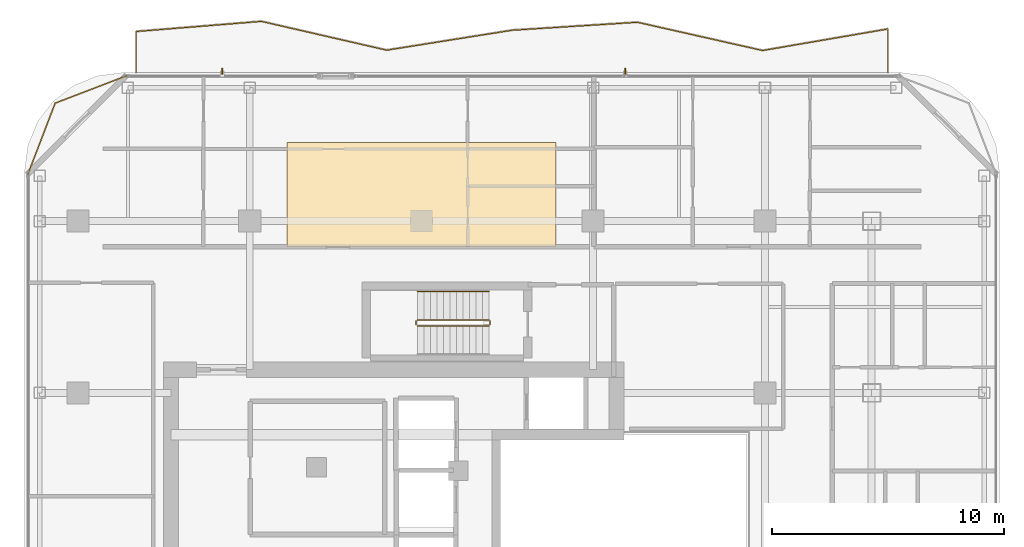
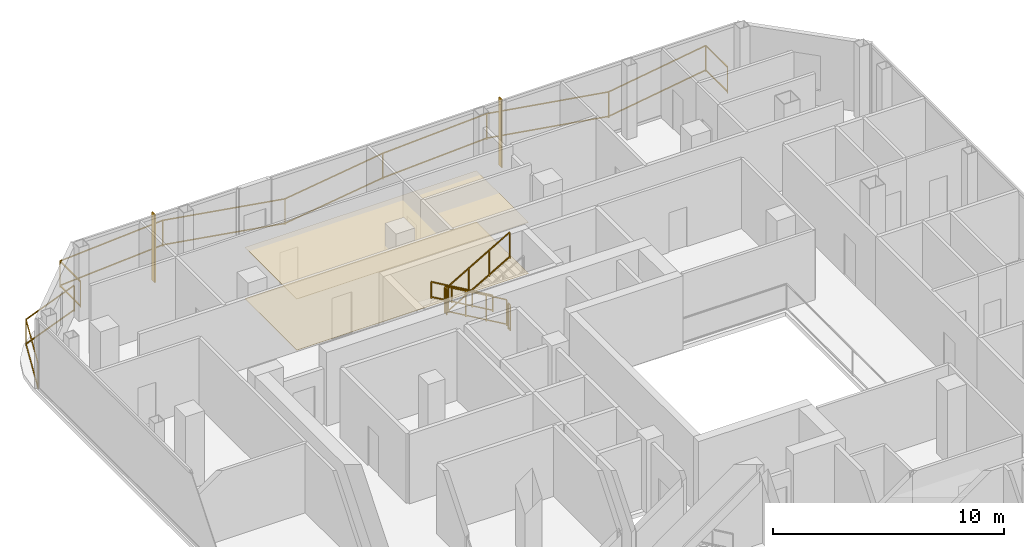
# One storey, part 25 of 26: 7 railings, 2 coverings, 2 shading devices.
"""IFC4 building model written with IfcOpenShell, lengths in metres."""

from ifc_helpers import new_model, si_unit, direction, frame, origin, origin_2d, place, context, subcontext, project, spatial, polyline, rectangle, outline, extrude, material, layer, layer_set, type_object, element, save


model = new_model("IFC4")

# Units and contexts
model_context = context("Model", 3, precision=1e-05, world=origin(), true_north=direction((0.0, 1.0)))
body_context = subcontext(model_context, "Body", "Model", "MODEL_VIEW")
ifc_project = project(units=[si_unit("LENGTHUNIT", "METRE"), si_unit("AREAUNIT", "SQUARE_METRE"), si_unit("VOLUMEUNIT", "CUBIC_METRE"), si_unit("PLANEANGLEUNIT", "RADIAN"), si_unit("MASSUNIT", "GRAM", prefix="KILO")], contexts=[model_context])

# Site, building, storey
site_placement = place(None, origin())
site = spatial("IfcSite", under=ifc_project, at=site_placement, CompositionType="ELEMENT")
building_placement = place(site_placement, origin())
building = spatial("IfcBuilding", under=site, at=building_placement, Name="Khorvyn Point Tower", CompositionType="ELEMENT")
storey_placement = place(building_placement, frame((0.0, 0.0, 262.5)))
storey = spatial("IfcBuildingStorey", under=building, at=storey_placement, Name="L64", CompositionType="ELEMENT", Elevation=262.5)

# Covering
ifc_material_1 = material(Name="Engineered tropical hardwood flooring", Category="wood")
ifc_layer_1 = layer(ifc_material_1, 0.01611328125)
ifc_layer_set_1 = layer_set([ifc_layer_1], Name="Engineered Teak Apartment Floor Finish 16")
covering_type_1 = type_object("IfcCoveringType", Name="Engineered Teak Apartment Floor Finish 16", PredefinedType="FLOORING", material=ifc_layer_set_1)
covering_1_placement = place(storey_placement, origin())
element("IfcCovering", 1, at=covering_1_placement, inside=storey, type_object=covering_type_1, Name="L64 North Apartment Teak Flooring", PredefinedType="FLOORING", context=body_context, shape_type="SweptSolid", body=[
    extrude(outline(polyline([(-5.800048828125, 13.68994140625), (5.800048828125, 13.68994140625), (5.800048828125, 18.199951171875), (-5.800048828125, 18.199951171875), (-5.800048828125, 13.68994140625)])), origin(), (0.0, 0.0, 1.0), 0.01611328125),
])

# Railings
ifc_material_2 = material(Name="Anodised aluminium 6063-T6 and laminated safety glass", Category="aluminium")
railing_type_1 = type_object("IfcRailingType", Name="Laminated Glass and Aluminium Balcony Guardrail 1400", PredefinedType="BALUSTRADE", material=ifc_material_2)
railing_1_placement = place(storey_placement, frame((-12.6865234375, 21.074462890625, 0.0)))
element("IfcRailing", 2, at=railing_1_placement, inside=storey, type_object=railing_type_1, Name="L64 Rounded Corner Edge Guardrail NW", PredefinedType="BALUSTRADE", context=body_context, shape_type="SweptSolid", body=[
    extrude(rectangle(XDim=0.048095703125, YDim=0.048095703125, at=origin_2d()), frame((0.0, 0.0, 1.3759765625), z_axis=(-0.93357103624, -0.358392411044, 0.0), x_axis=(0.358392411044, -0.93357103624, 0.0)), (0.0, 0.0, 1.0), 3.31884765625),
    extrude(rectangle(XDim=0.048095703125, YDim=0.048095703125, at=origin_2d()), frame((0.0, 0.0, 0.080078125), z_axis=(-0.93357103624, -0.358392411044, 0.0), x_axis=(0.358392411044, -0.93357103624, 0.0)), (0.0, 0.0, 1.0), 3.31884765625),
    extrude(rectangle(XDim=0.048095703125, YDim=0.048095703125, at=origin_2d()), frame((-3.098388671875, -1.189453125, 1.3759765625), z_axis=(-0.358392411044, -0.93357103624, 0.0), x_axis=(0.93357103624, -0.358392411044, 0.0)), (0.0, 0.0, 1.0), 3.31884765625),
    extrude(rectangle(XDim=0.048095703125, YDim=0.048095703125, at=origin_2d()), frame((-3.098388671875, -1.189453125, 0.080078125), z_axis=(-0.358392411044, -0.93357103624, 0.0), x_axis=(0.93357103624, -0.358392411044, 0.0)), (0.0, 0.0, 1.0), 3.31884765625),
    extrude(rectangle(XDim=0.0419921875, YDim=0.0419921875, at=origin_2d()), origin(), (0.0, 0.0, 1.0), 1.351806640625),
    extrude(rectangle(XDim=0.0419921875, YDim=0.0419921875, at=origin_2d()), frame((-3.098388671875, -1.189453125, 0.0)), (0.0, 0.0, 1.0), 1.351806640625),
    extrude(rectangle(XDim=0.0419921875, YDim=0.0419921875, at=origin_2d()), frame((-4.287841796875, -4.287841796875, 0.0)), (0.0, 0.0, 1.0), 1.351806640625),
])
railing_2_placement = place(storey_placement, frame((20.10009765625, 21.199951171875, 0.0)))
element("IfcRailing", 3, at=railing_2_placement, inside=storey, type_object=railing_type_1, Name="L64 North Balcony Guardrail", PredefinedType="BALUSTRADE", context=body_context, shape_type="SweptSolid", body=[
    extrude(rectangle(XDim=0.048095703125, YDim=0.048095703125, at=origin_2d()), frame((0.0, 0.0, 1.3759765625), z_axis=(0.0, 1.0, 0.0), x_axis=(-1.0, 0.0, 0.0)), (0.0, 0.0, 1.0), 1.881591796875),
    extrude(rectangle(XDim=0.048095703125, YDim=0.048095703125, at=origin_2d()), frame((0.0, 0.0, 0.080078125), z_axis=(0.0, 1.0, 0.0), x_axis=(-1.0, 0.0, 0.0)), (0.0, 0.0, 1.0), 1.881591796875),
    extrude(rectangle(XDim=0.048095703125, YDim=0.048095703125, at=origin_2d()), frame((0.0, 1.881591796875, 1.3759765625), z_axis=(-0.985524357442, -0.169533893036, 0.0), x_axis=(0.169533893036, -0.985524357442, 0.0)), (0.0, 0.0, 1.0), 5.4794921875),
    extrude(rectangle(XDim=0.048095703125, YDim=0.048095703125, at=origin_2d()), frame((0.0, 1.881591796875, 0.080078125), z_axis=(-0.985524357442, -0.169533893036, 0.0), x_axis=(0.169533893036, -0.985524357442, 0.0)), (0.0, 0.0, 1.0), 5.4794921875),
    extrude(rectangle(XDim=0.048095703125, YDim=0.048095703125, at=origin_2d()), frame((-5.400146484375, 0.95263671875, 1.3759765625), z_axis=(-0.975510952873, 0.219950860023, 0.0), x_axis=(-0.219950860023, -0.975510952873, 0.0)), (0.0, 0.0, 1.0), 5.535400390625),
    extrude(rectangle(XDim=0.048095703125, YDim=0.048095703125, at=origin_2d()), frame((-5.400146484375, 0.95263671875, 0.080078125), z_axis=(-0.975510952873, 0.219950860023, 0.0), x_axis=(-0.219950860023, -0.975510952873, 0.0)), (0.0, 0.0, 1.0), 5.535400390625),
    extrude(rectangle(XDim=0.048095703125, YDim=0.048095703125, at=origin_2d()), frame((-10.800048828125, 2.170166015625, 1.3759765625), z_axis=(-0.997982973063, -0.063482166603, 0.0), x_axis=(0.063482166603, -0.997982973063, 0.0)), (0.0, 0.0, 1.0), 5.4111328125),
    extrude(rectangle(XDim=0.048095703125, YDim=0.048095703125, at=origin_2d()), frame((-10.800048828125, 2.170166015625, 0.080078125), z_axis=(-0.997982973063, -0.063482166603, 0.0), x_axis=(0.063482166603, -0.997982973063, 0.0)), (0.0, 0.0, 1.0), 5.4111328125),
    extrude(rectangle(XDim=0.048095703125, YDim=0.048095703125, at=origin_2d()), frame((-16.2001953125, 1.82666015625, 1.3759765625), z_axis=(-0.987592585176, -0.157037848, 0.0), x_axis=(0.157037848, -0.987592585176, 0.0)), (0.0, 0.0, 1.0), 5.4677734375),
    extrude(rectangle(XDim=0.048095703125, YDim=0.048095703125, at=origin_2d()), frame((-16.2001953125, 1.82666015625, 0.080078125), z_axis=(-0.987592585176, -0.157037848, 0.0), x_axis=(0.157037848, -0.987592585176, 0.0)), (0.0, 0.0, 1.0), 5.4677734375),
    extrude(rectangle(XDim=0.048095703125, YDim=0.048095703125, at=origin_2d()), frame((-21.60009765625, 0.968017578125, 1.3759765625), z_axis=(-0.974604637949, 0.223932578445, 0.0), x_axis=(-0.223932578445, -0.974604637949, 0.0)), (0.0, 0.0, 1.0), 5.54052734375),
    extrude(rectangle(XDim=0.048095703125, YDim=0.048095703125, at=origin_2d()), frame((-21.60009765625, 0.968017578125, 0.080078125), z_axis=(-0.974604637949, 0.223932578445, 0.0), x_axis=(-0.223932578445, -0.974604637949, 0.0)), (0.0, 0.0, 1.0), 5.54052734375),
    extrude(rectangle(XDim=0.048095703125, YDim=0.048095703125, at=origin_2d()), frame((-27.0, 2.208740234375, 1.3759765625), z_axis=(-0.996730617582, -0.080796509667, 0.0), x_axis=(0.080796509667, -0.996730617582, 0.0)), (0.0, 0.0, 1.0), 5.41796875),
    extrude(rectangle(XDim=0.048095703125, YDim=0.048095703125, at=origin_2d()), frame((-27.0, 2.208740234375, 0.080078125), z_axis=(-0.996730617582, -0.080796509667, 0.0), x_axis=(0.080796509667, -0.996730617582, 0.0)), (0.0, 0.0, 1.0), 5.41796875),
    extrude(rectangle(XDim=0.048095703125, YDim=0.048095703125, at=origin_2d()), frame((-32.400146484375, 1.77099609375, 1.3759765625), z_axis=(0.0, -1.0, 0.0), x_axis=(1.0, 0.0, 0.0)), (0.0, 0.0, 1.0), 1.77099609375),
    extrude(rectangle(XDim=0.048095703125, YDim=0.048095703125, at=origin_2d()), frame((-32.400146484375, 1.77099609375, 0.080078125), z_axis=(0.0, -1.0, 0.0), x_axis=(1.0, 0.0, 0.0)), (0.0, 0.0, 1.0), 1.77099609375),
    extrude(rectangle(XDim=0.0419921875, YDim=0.0419921875, at=origin_2d()), origin(), (0.0, 0.0, 1.0), 1.351806640625),
    extrude(rectangle(XDim=0.0419921875, YDim=0.0419921875, at=origin_2d()), frame((0.0, 1.881591796875, 0.0)), (0.0, 0.0, 1.0), 1.351806640625),
    extrude(rectangle(XDim=0.0419921875, YDim=0.0419921875, at=origin_2d()), frame((-5.400146484375, 0.95263671875, 0.0)), (0.0, 0.0, 1.0), 1.351806640625),
    extrude(rectangle(XDim=0.0419921875, YDim=0.0419921875, at=origin_2d()), frame((-10.800048828125, 2.170166015625, 0.0)), (0.0, 0.0, 1.0), 1.351806640625),
    extrude(rectangle(XDim=0.0419921875, YDim=0.0419921875, at=origin_2d()), frame((-16.2001953125, 1.82666015625, 0.0)), (0.0, 0.0, 1.0), 1.351806640625),
    extrude(rectangle(XDim=0.0419921875, YDim=0.0419921875, at=origin_2d()), frame((-21.60009765625, 0.968017578125, 0.0)), (0.0, 0.0, 1.0), 1.351806640625),
    extrude(rectangle(XDim=0.0419921875, YDim=0.0419921875, at=origin_2d()), frame((-27.0, 2.208740234375, 0.0)), (0.0, 0.0, 1.0), 1.351806640625),
    extrude(rectangle(XDim=0.0419921875, YDim=0.0419921875, at=origin_2d()), frame((-32.400146484375, 1.77099609375, 0.0)), (0.0, 0.0, 1.0), 1.351806640625),
    extrude(rectangle(XDim=0.0419921875, YDim=0.0419921875, at=origin_2d()), frame((-32.400146484375, 0.0, 0.0)), (0.0, 0.0, 1.0), 1.351806640625),
])

# Shading devices
ifc_material_3 = material(Name="Pale anodised aluminium 6063-T6", Category="aluminium")
ifc_layer_2 = layer(ifc_material_3, 0.054931640625)
ifc_layer_set_2 = layer_set([ifc_layer_2], Name="Pale Anodised Aluminium FIN 260x55")
shading_device_type = type_object("IfcShadingDeviceType", Name="Pale Anodised Aluminium FIN 260x55", PredefinedType="USERDEFINED", material=ifc_layer_set_2)
for number, where, z_axis, x_axis, name in (
    (4, (-8.58740234375, 21.27001953125, 0.0400390625), (0.0, 0.0, 1.0), (0.0, 1.0, 0.0), "L64 Anodised FIN 01"),
    (5, (8.782470703125, 21.27001953125, 0.0400390625), (0.0, 0.0, 1.0), (0.0, 1.0, 0.0), "L64 Anodised FIN 01"),
):
    element("IfcShadingDevice", number, at=place(storey_placement, frame(where, z_axis=z_axis, x_axis=x_axis)), inside=storey, type_object=shading_device_type, Name=name, ObjectType="FIN", PredefinedType="USERDEFINED", context=body_context, shape_type="SweptSolid", body=[
        extrude(rectangle(XDim=0.260009765625, YDim=0.054931640625, at=origin_2d()), origin(), (0.0, 0.0, 1.0), 3.60009765625),
    ])

# Covering
ifc_material_4 = material(Name="Mineral-fibre acoustic ceiling board", Category="gypsum")
ifc_layer_3 = layer(ifc_material_4, 0.02001953125)
ifc_layer_set_3 = layer_set([ifc_layer_3], Name="Perforated Mineral-Fibre Acoustic Suspended Ceiling 20")
covering_type_2 = type_object("IfcCoveringType", Name="Perforated Mineral-Fibre Acoustic Suspended Ceiling 20", PredefinedType="CEILING", material=ifc_layer_set_3)
covering_2_placement = place(storey_placement, frame((0.0, 0.0, 2.699951171875)))
element("IfcCovering", 6, at=covering_2_placement, inside=storey, type_object=covering_type_2, Name="L64 North Apartment Acoustic Ceiling", PredefinedType="CEILING", context=body_context, shape_type="SweptSolid", body=[
    extrude(outline(polyline([(-5.800048828125, 13.68994140625), (5.800048828125, 13.68994140625), (5.800048828125, 18.199951171875), (-5.800048828125, 18.199951171875), (-5.800048828125, 13.68994140625)])), origin(), (0.0, 0.0, 1.0), 0.02001953125),
])

# Railings
ifc_material_5 = material(Name="Stainless steel 1.4301", Category="steel")
railing_type_2 = type_object("IfcRailingType", Name="Stainless Steel 304 Stair Pitch Handrail 900", PredefinedType="HANDRAIL", material=ifc_material_5)
railing_3_placement = place(storey_placement, frame((2.89990234375, 11.77001953125, 0.16259765625)))
element("IfcRailing", 7, at=railing_3_placement, inside=storey, type_object=railing_type_2, Name="L64 ST-02 stair handrail 1", PredefinedType="HANDRAIL", context=body_context, shape_type="SweptSolid", body=[
    extrude(rectangle(XDim=0.048095703125, YDim=0.048095703125, at=origin_2d()), frame((0.0, 0.0, 0.8759765625), z_axis=(-0.864903211148, 0.0, 0.501938676878), x_axis=(0.0, -1.0, 0.0)), (0.0, 0.0, 1.0), 3.560791015625),
    extrude(rectangle(XDim=0.048095703125, YDim=0.048095703125, at=origin_2d()), frame((0.0, 0.0, 0.080078125), z_axis=(-0.864903211148, 0.0, 0.501938676878), x_axis=(0.0, -1.0, 0.0)), (0.0, 0.0, 1.0), 3.560791015625),
    extrude(rectangle(XDim=0.0419921875, YDim=0.0419921875, at=origin_2d()), origin(), (0.0, 0.0, 1.0), 0.851806640625),
    extrude(rectangle(XDim=0.0419921875, YDim=0.0419921875, at=origin_2d()), frame((-1.026611328125, 0.0, 0.595703125)), (0.0, 0.0, 1.0), 0.851806640625),
    extrude(rectangle(XDim=0.0419921875, YDim=0.0419921875, at=origin_2d()), frame((-2.05322265625, 0.0, 1.191650390625)), (0.0, 0.0, 1.0), 0.851806640625),
    extrude(rectangle(XDim=0.0419921875, YDim=0.0419921875, at=origin_2d()), frame((-3.079833984375, 0.0, 1.787353515625)), (0.0, 0.0, 1.0), 0.851806640625),
])
railing_type_3 = type_object("IfcRailingType", Name="Stainless Steel 304 Stair Well Guardrail 1400", PredefinedType="GUARDRAIL", material=ifc_material_5)
railing_4_placement = place(storey_placement, frame((2.89990234375, 10.550048828125, 0.16259765625)))
element("IfcRailing", 8, at=railing_4_placement, inside=storey, type_object=railing_type_3, Name="L64 ST-02 stair guard 1", PredefinedType="GUARDRAIL", context=body_context, shape_type="SweptSolid", body=[
    extrude(rectangle(XDim=0.048095703125, YDim=0.048095703125, at=origin_2d()), frame((0.0, 0.0, 1.3759765625), z_axis=(-0.864903211148, 0.0, 0.501938676878), x_axis=(0.0, -1.0, 0.0)), (0.0, 0.0, 1.0), 3.560791015625),
    extrude(rectangle(XDim=0.048095703125, YDim=0.048095703125, at=origin_2d()), frame((0.0, 0.0, 0.080078125), z_axis=(-0.864903211148, 0.0, 0.501938676878), x_axis=(0.0, -1.0, 0.0)), (0.0, 0.0, 1.0), 3.560791015625),
    extrude(rectangle(XDim=0.0419921875, YDim=0.0419921875, at=origin_2d()), origin(), (0.0, 0.0, 1.0), 1.351806640625),
    extrude(rectangle(XDim=0.0419921875, YDim=0.0419921875, at=origin_2d()), frame((-1.026611328125, 0.0, 0.595703125)), (0.0, 0.0, 1.0), 1.351806640625),
    extrude(rectangle(XDim=0.0419921875, YDim=0.0419921875, at=origin_2d()), frame((-2.05322265625, 0.0, 1.191650390625)), (0.0, 0.0, 1.0), 1.351806640625),
    extrude(rectangle(XDim=0.0419921875, YDim=0.0419921875, at=origin_2d()), frame((-3.079833984375, 0.0, 1.787353515625)), (0.0, 0.0, 1.0), 1.351806640625),
])
railing_5_placement = place(storey_placement, frame((-0.22998046875, 10.5, 1.949951171875)))
element("IfcRailing", 9, at=railing_5_placement, inside=storey, type_object=railing_type_3, Name="L64 ST-02 stair guard 2", PredefinedType="GUARDRAIL", context=body_context, shape_type="SweptSolid", body=[
    extrude(rectangle(XDim=0.048095703125, YDim=0.048095703125, at=origin_2d()), frame((0.0, 0.0, 1.3759765625), z_axis=(0.0, -1.0, 0.0), x_axis=(1.0, 0.0, 0.0)), (0.0, 0.0, 1.0), 0.159912109375),
    extrude(rectangle(XDim=0.048095703125, YDim=0.048095703125, at=origin_2d()), frame((0.0, 0.0, 0.080078125), z_axis=(0.0, -1.0, 0.0), x_axis=(1.0, 0.0, 0.0)), (0.0, 0.0, 1.0), 0.159912109375),
    extrude(rectangle(XDim=0.0419921875, YDim=0.0419921875, at=origin_2d()), origin(), (0.0, 0.0, 1.0), 1.351806640625),
    extrude(rectangle(XDim=0.0419921875, YDim=0.0419921875, at=origin_2d()), frame((0.0, -0.159912109375, 0.0)), (0.0, 0.0, 1.0), 1.351806640625),
])
railing_6_placement = place(storey_placement, frame((-0.179931640625, 10.2900390625, 2.112548828125)))
element("IfcRailing", 10, at=railing_6_placement, inside=storey, type_object=railing_type_3, Name="L64 ST-02 stair guard 3", PredefinedType="GUARDRAIL", context=body_context, shape_type="SweptSolid", body=[
    extrude(rectangle(XDim=0.048095703125, YDim=0.048095703125, at=origin_2d()), frame((0.0, 0.0, 1.3759765625), z_axis=(0.864903211148, 0.0, 0.501938676878), x_axis=(0.0, 1.0, 0.0)), (0.0, 0.0, 1.0), 3.560791015625),
    extrude(rectangle(XDim=0.048095703125, YDim=0.048095703125, at=origin_2d()), frame((0.0, 0.0, 0.080078125), z_axis=(0.864903211148, 0.0, 0.501938676878), x_axis=(0.0, 1.0, 0.0)), (0.0, 0.0, 1.0), 3.560791015625),
    extrude(rectangle(XDim=0.0419921875, YDim=0.0419921875, at=origin_2d()), origin(), (0.0, 0.0, 1.0), 1.351806640625),
    extrude(rectangle(XDim=0.0419921875, YDim=0.0419921875, at=origin_2d()), frame((1.026611328125, 0.0, 0.595703125)), (0.0, 0.0, 1.0), 1.351806640625),
    extrude(rectangle(XDim=0.0419921875, YDim=0.0419921875, at=origin_2d()), frame((2.05322265625, 0.0, 1.191650390625)), (0.0, 0.0, 1.0), 1.351806640625),
    extrude(rectangle(XDim=0.0419921875, YDim=0.0419921875, at=origin_2d()), frame((3.079833984375, 0.0, 1.787353515625)), (0.0, 0.0, 1.0), 1.351806640625),
])
railing_7_placement = place(storey_placement, frame((2.949951171875, 10.5, 0.0)))
element("IfcRailing", 11, at=railing_7_placement, inside=storey, type_object=railing_type_3, Name="L64 ST-02 stair guard 4", PredefinedType="GUARDRAIL", context=body_context, shape_type="SweptSolid", body=[
    extrude(rectangle(XDim=0.048095703125, YDim=0.048095703125, at=origin_2d()), frame((0.0, 0.0, 1.3759765625), z_axis=(0.0, -1.0, 0.0), x_axis=(1.0, 0.0, 0.0)), (0.0, 0.0, 1.0), 0.159912109375),
    extrude(rectangle(XDim=0.048095703125, YDim=0.048095703125, at=origin_2d()), frame((0.0, 0.0, 0.080078125), z_axis=(0.0, -1.0, 0.0), x_axis=(1.0, 0.0, 0.0)), (0.0, 0.0, 1.0), 0.159912109375),
    extrude(rectangle(XDim=0.0419921875, YDim=0.0419921875, at=origin_2d()), origin(), (0.0, 0.0, 1.0), 1.351806640625),
    extrude(rectangle(XDim=0.0419921875, YDim=0.0419921875, at=origin_2d()), frame((0.0, -0.159912109375, 0.0)), (0.0, 0.0, 1.0), 1.351806640625),
])

save(model, "model.ifc")
